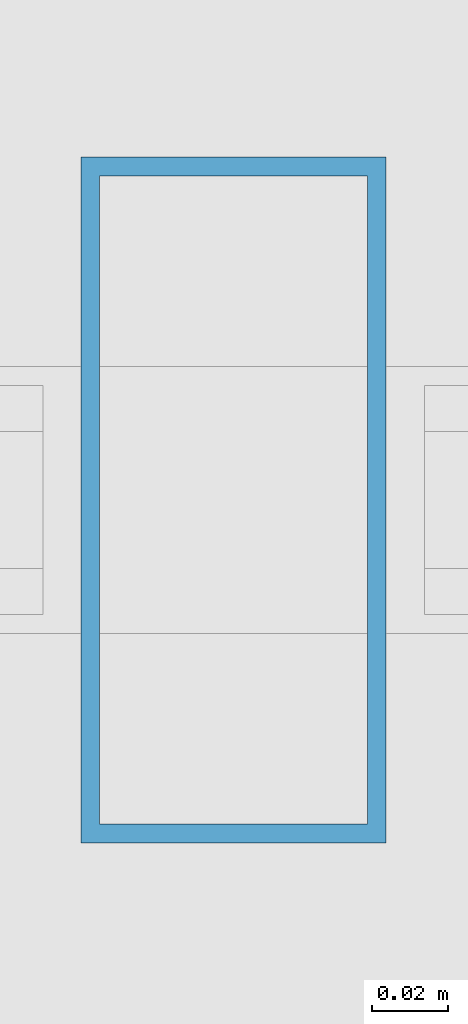
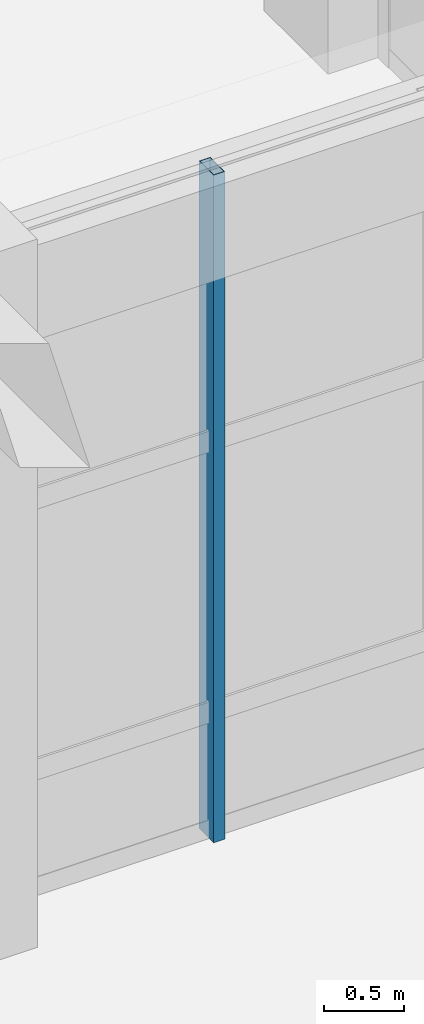
# One storey, part 44 of 160: 1 member, 1 element without a shape of its own.
"""IFC4 building model written with IfcOpenShell, lengths in metres."""

from ifc_helpers import new_model, si_unit, direction, frame, origin, origin_2d, place, context, subcontext, project, spatial, hollow_rectangle, extrude, material, material_profile, profile_set, type_object, element, aggregate, save


model = new_model("IFC4")

# Units and contexts
model_context = context("Model", 3, precision=1e-05, world=origin(), true_north=direction((0.0, 1.0)))
body_context = subcontext(model_context, "Body", "Model", "MODEL_VIEW")
ifc_project = project(units=[si_unit("LENGTHUNIT", "METRE"), si_unit("AREAUNIT", "SQUARE_METRE"), si_unit("VOLUMEUNIT", "CUBIC_METRE"), si_unit("PLANEANGLEUNIT", "RADIAN"), si_unit("MASSUNIT", "GRAM", prefix="KILO")], contexts=[model_context])

# Site, building, storey
site_placement = place(None, origin())
site = spatial("IfcSite", under=ifc_project, at=site_placement, CompositionType="ELEMENT")
building_placement = place(site_placement, origin())
building = spatial("IfcBuilding", under=site, at=building_placement, Name="Thalmaran Polytechnic", CompositionType="ELEMENT")
storey_placement = place(building_placement, origin())
storey = spatial("IfcBuildingStorey", under=building, at=storey_placement, Name="L00", CompositionType="ELEMENT", Elevation=0.0)

# Curtain wall, member
ifc_material = material(Name="Aluminium 6063-T6", Category="aluminium")
curtain_wall_type = type_object("IfcCurtainWallType", Name="CW-UC01", PredefinedType="USERDEFINED", material=ifc_material)
curtain_wall_placement = place(storey_placement, origin())
curtain_wall = element("IfcCurtainWall", 1, at=curtain_wall_placement, inside=storey, type_object=curtain_wall_type, Name="Curtain Wall CW-L00-066", ObjectType="UNITISED CURTAIN WALL", PredefinedType="USERDEFINED")
ifc_material_profile = material_profile(ifc_material, hollow_rectangle(XDim=0.080078125, YDim=0.179931640625, WallThickness=0.0048828125, at=origin_2d()), Name="RHS 180x80x5.0")
ifc_profile_set = profile_set([ifc_material_profile], Name="Aluminium 6063-T6")
member_type = type_object("IfcMemberType", Name="CW-MUL1", PredefinedType="MULLION", material=ifc_profile_set)
member_placement = place(storey_placement, frame((124.4375, 57.60009765625, 0.0), z_axis=(0.0, 0.0, 1.0), x_axis=(1.0, 0.0, 0.0)))
member = element("IfcMember", 2, at=member_placement, type_object=member_type, Name="CW-L00-066 Mullion 2", PredefinedType="MULLION", context=body_context, shape_type="SweptSolid", body=[
    extrude(hollow_rectangle(XDim=0.080078125, YDim=0.179931640625, WallThickness=0.0048828125, at=origin_2d()), origin(), (0.0, 0.0, 1.0), 5.090087890625),
])
aggregate(curtain_wall, [member])

save(model, "model.ifc")
